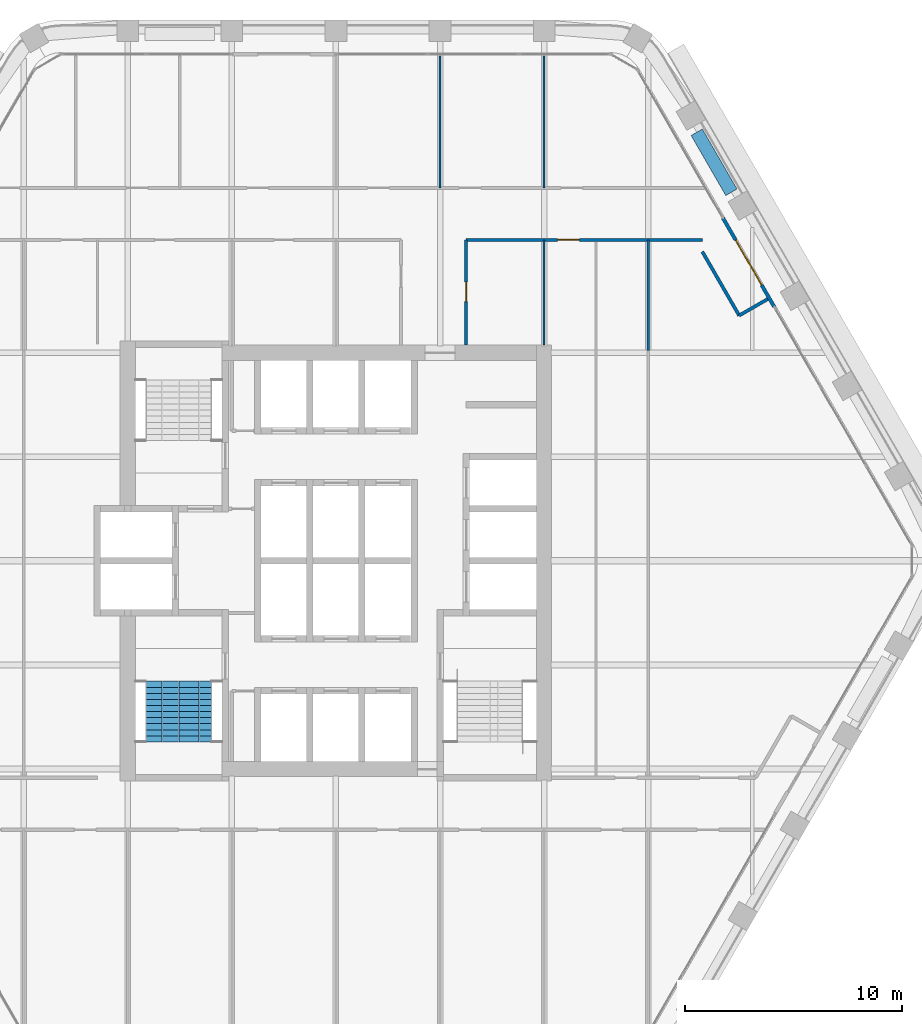
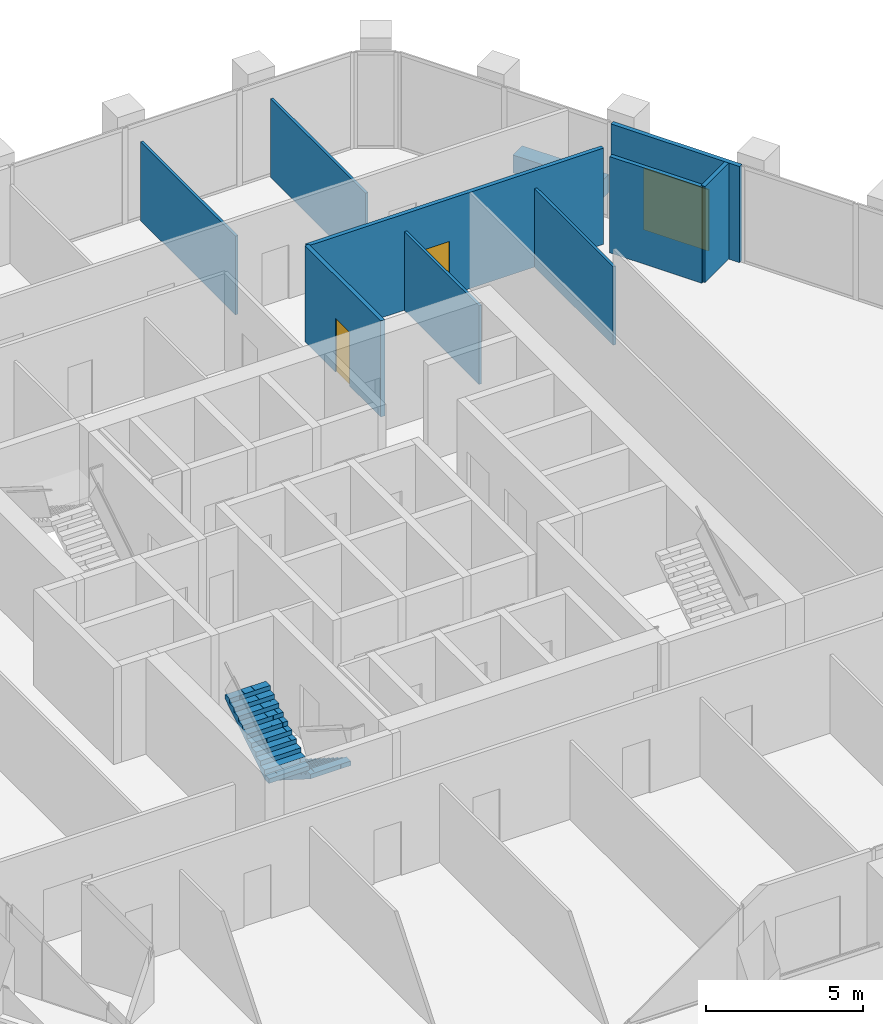
# One storey, part 12 of 15: 10 walls, 3 doors, 2 stair flights, 3 openings, 1 element without a shape of its own.
"""IFC4 building model written with IfcOpenShell, lengths in metres."""

from ifc_helpers import new_model, si_unit, direction, frame, frame_2d, origin, place, context, subcontext, project, spatial, polyline, rectangle, outline, extrude, material, layer, layer_set, type_object, element, fill, aggregate, save


model = new_model("IFC4")

# Units and contexts
model_context = context("Model", 3, precision=1e-05, world=origin(), true_north=direction((0.0, 1.0)))
body_context = subcontext(model_context, "Body", "Model", "MODEL_VIEW")
ifc_project = project(units=[si_unit("LENGTHUNIT", "METRE"), si_unit("AREAUNIT", "SQUARE_METRE"), si_unit("VOLUMEUNIT", "CUBIC_METRE"), si_unit("PLANEANGLEUNIT", "RADIAN"), si_unit("MASSUNIT", "GRAM", prefix="KILO")], contexts=[model_context])

# Site, building, storey
site_placement = place(None, origin())
site = spatial("IfcSite", under=ifc_project, at=site_placement, CompositionType="ELEMENT")
building_placement = place(site_placement, origin())
building = spatial("IfcBuilding", under=site, at=building_placement, Name="Kolab Exchange Tower", CompositionType="ELEMENT")
storey_placement = place(building_placement, frame((0.0, 0.0, 185.60009765625)))
storey = spatial("IfcBuildingStorey", under=building, at=storey_placement, Name="L39", CompositionType="ELEMENT", Elevation=185.60009765625)

# Wall, opening, door
ifc_material_1 = material(Name="Aluminium EN AW-6063 T6", Category="aluminium")
ifc_layer_1 = layer(ifc_material_1, 0.159912109375)
ifc_layer_set_1 = layer_set([ifc_layer_1], Name="Aluminium EN AW-6063 T6")
wall_type_1 = type_object("IfcWallType", Name="DOOR SURROUND WALL 160 ALUMINIUM FRAMED", PredefinedType="PARTITIONING", material=ifc_layer_set_1)
wall_1_placement = place(storey_placement, frame((17.8466796875, 15.811767578125, 0.0), z_axis=(0.0, 0.0, 1.0), x_axis=(0.5000167099, -0.866015756104, 0.0)))
wall_1 = element("IfcWall", 1, at=wall_1_placement, inside=storey, type_object=wall_type_1, Name="Door surround wall", PredefinedType="PARTITIONING", context=body_context, shape_type="SweptSolid", body=[
    extrude(rectangle(XDim=4.739990234375, YDim=0.159912109375, at=frame_2d((2.3701171875, 0.0))), origin(), (0.0, 0.0, 1.0), 3.75),
])
opening_1_placement = place(wall_1_placement, frame((1.169921875, 0.0, 0.0)))
opening_1 = element("IfcOpeningElement", 2, at=opening_1_placement, cuts=wall_1, Name="Opening GD1-065", PredefinedType="OPENING", context=body_context, shape_type="SweptSolid", body=[
    extrude(rectangle(XDim=2.39990234375, YDim=2.39990234375, at=frame_2d((1.199951171875, 1.199951171875))), frame((0.0, 0.08984375, 0.0), z_axis=(0.0, -1.0, 0.0), x_axis=(1.0, 0.0, 0.0)), (0.0, 0.0, 1.0), 0.179931640625),
])
door_type_1 = type_object("IfcDoorType", Name="LOGGIA SLIDING GLASS DOOR 2400 X 2400", OperationType="DOUBLE_DOOR_SINGLE_SWING", PredefinedType="DOOR", material=ifc_material_1)
door_1_placement = place(opening_1_placement, origin())
door_1 = element("IfcDoor", 3, at=door_1_placement, inside=storey, type_object=door_type_1, Name="Loggia door", OperationType="DOUBLE_DOOR_SLIDING", OverallHeight=2.39990234375, OverallWidth=2.39990234375, PredefinedType="DOOR", context=body_context, shape_type="SweptSolid", body=[
    extrude(rectangle(XDim=2.39990234375, YDim=2.39990234375, at=frame_2d((1.199951171875, 1.199951171875))), frame((0.0, 0.02490234375, 0.0), z_axis=(0.0, -1.0, 0.0), x_axis=(1.0, 0.0, 0.0)), (0.0, 0.0, 1.0), 0.050048828125),
])
fill(opening_1, door_1)

# Walls
ifc_material_2 = material(Name="Gypsum board", Category="gypsum")
ifc_layer_2 = layer(ifc_material_2, 0.10009765625)
ifc_layer_set_2 = layer_set([ifc_layer_2], Name="Gypsum board")
wall_type_2 = type_object("IfcWallType", Name="PARTITION 100", PredefinedType="PARTITIONING", material=ifc_layer_set_2)
wall_2_placement = place(storey_placement, frame((14.39990234375, 9.693603515625, 0.0), z_axis=(0.0, 0.0, 1.0), x_axis=(0.0, 1.0, 0.0)))
element("IfcWall", 4, at=wall_2_placement, inside=storey, type_object=wall_type_2, Name="Partition 001", PredefinedType="PARTITIONING", context=body_context, shape_type="SweptSolid", body=[
    extrude(rectangle(XDim=5.1064453125, YDim=0.10009765625, at=frame_2d((2.55322265625, 0.0))), origin(), (0.0, 0.0, 1.0), 3.06591796875),
])
wall_3_placement = place(storey_placement, frame((9.60009765625, 9.949951171875, 0.0), z_axis=(0.0, 0.0, 1.0), x_axis=(0.0, 1.0, 0.0)))
element("IfcWall", 5, at=wall_3_placement, inside=storey, type_object=wall_type_2, Name="Partition 004", PredefinedType="PARTITIONING", context=body_context, shape_type="SweptSolid", body=[
    extrude(rectangle(XDim=4.85009765625, YDim=0.10009765625, at=frame_2d((2.425048828125, 0.0))), origin(), (0.0, 0.0, 1.0), 3.06591796875),
])
for number, where, z_axis, x_axis, name in (
    (6, (9.60009765625, 17.199951171875, 0.0), (0.0, 0.0, 1.0), (0.0, 1.0, 0.0), "Partition 005"),
    (7, (4.800048828125, 17.199951171875, 0.0), (0.0, 0.0, 1.0), (0.0, 1.0, 0.0), "Partition 008"),
):
    element("IfcWall", number, at=place(storey_placement, frame(where, z_axis=z_axis, x_axis=x_axis)), inside=storey, type_object=wall_type_2, Name=name, PredefinedType="PARTITIONING", context=body_context, shape_type="SweptSolid", body=[
        extrude(rectangle(XDim=6.071533203125, YDim=0.10009765625, at=frame_2d((3.03564453125, 0.0))), origin(), (0.0, 0.0, 1.0), 3.06591796875),
    ])

# Wall, opening, door
ifc_layer_3 = layer(ifc_material_2, 0.14990234375)
ifc_layer_set_3 = layer_set([ifc_layer_3], Name="Gypsum board")
wall_type_3 = type_object("IfcWallType", Name="PARTITION 150 FIRE-RATED", PredefinedType="PARTITIONING", material=ifc_layer_set_3)
wall_4_placement = place(storey_placement, frame((6.0, 9.949951171875, 0.0), z_axis=(0.0, 0.0, 1.0), x_axis=(0.0, 1.0, 0.0)))
wall_4 = element("IfcWall", 8, at=wall_4_placement, inside=storey, type_object=wall_type_3, Name="Partition 006", PredefinedType="PARTITIONING", context=body_context, shape_type="SweptSolid", body=[
    extrude(rectangle(XDim=4.85009765625, YDim=0.14990234375, at=frame_2d((2.425048828125, 0.0))), origin(), (0.0, 0.0, 1.0), 3.75),
])
opening_2_placement = place(wall_4_placement, frame((2.0, 0.0, 0.0)))
opening_2 = element("IfcOpeningElement", 9, at=opening_2_placement, cuts=wall_4, Name="Opening D3-054", PredefinedType="OPENING", context=body_context, shape_type="SweptSolid", body=[
    extrude(rectangle(XDim=0.89990234375, YDim=2.10009765625, at=frame_2d((0.449951171875, 1.050048828125))), frame((0.0, 0.0849609375, 0.0), z_axis=(0.0, -1.0, 0.0), x_axis=(1.0, 0.0, 0.0)), (0.0, 0.0, 1.0), 0.169921875),
])
ifc_material_3 = material(Name="Steel S235", Category="steel")
door_type_2 = type_object("IfcDoorType", Name="FLUSH DOOR 900 FD60", OperationType="SINGLE_SWING_LEFT", PredefinedType="DOOR", material=ifc_material_3)
door_2_placement = place(opening_2_placement, frame((0.89990234375, 0.0, 0.0), z_axis=(0.0, 0.0, 1.0), x_axis=(-1.0, 0.0, 0.0)))
door_2 = element("IfcDoor", 10, at=door_2_placement, inside=storey, type_object=door_type_2, Name="Door L39-030", OperationType="SINGLE_SWING_LEFT", OverallHeight=2.10009765625, OverallWidth=0.89990234375, PredefinedType="DOOR", context=body_context, shape_type="SweptSolid", body=[
    extrude(rectangle(XDim=0.89990234375, YDim=2.10009765625, at=frame_2d((0.449951171875, 1.050048828125))), frame((0.0, 0.02490234375, 0.0), z_axis=(0.0, -1.0, 0.0), x_axis=(1.0, 0.0, 0.0)), (0.0, 0.0, 1.0), 0.050048828125),
])
fill(opening_2, door_2)

# Walls
wall_5_placement = place(storey_placement, frame((16.89599609375, 14.25830078125, 0.0), z_axis=(0.0, 0.0, 1.0), x_axis=(0.499977295307, -0.866038511948, 0.0)))
element("IfcWall", 11, at=wall_5_placement, inside=storey, type_object=wall_type_3, Name="Partition 024", PredefinedType="PARTITIONING", context=body_context, shape_type="SweptSolid", body=[
    extrude(rectangle(XDim=3.400146484375, YDim=0.14990234375, at=frame_2d((1.7001953125, 0.0))), origin(), (0.0, 0.0, 1.0), 3.75),
])
wall_6_placement = place(storey_placement, frame((18.595947265625, 11.313720703125, 0.0), z_axis=(0.0, 0.0, 1.0), x_axis=(0.866030456496, 0.499991248344, 0.0)))
element("IfcWall", 12, at=wall_6_placement, inside=storey, type_object=wall_type_3, Name="Partition 028", PredefinedType="PARTITIONING", context=body_context, shape_type="SweptSolid", body=[
    extrude(rectangle(XDim=1.52001953125, YDim=0.14990234375, at=frame_2d((0.760009765625, 0.0))), origin(), (0.0, 0.0, 1.0), 3.75),
])

# Wall, opening, door
wall_7_placement = place(storey_placement, frame((6.0, 14.800048828125, 0.0), z_axis=(0.0, 0.0, 1.0), x_axis=(1.0, 0.0, 0.0)))
wall_7 = element("IfcWall", 13, at=wall_7_placement, inside=storey, type_object=wall_type_3, Name="Partition 035", PredefinedType="PARTITIONING", context=body_context, shape_type="SweptSolid", body=[
    extrude(rectangle(XDim=10.9052734375, YDim=0.14990234375, at=frame_2d((5.45263671875, 0.0))), origin(), (0.0, 0.0, 1.0), 3.75),
])
opening_3_placement = place(wall_7_placement, frame((4.22509765625, 0.0, 0.0)))
opening_3 = element("IfcOpeningElement", 14, at=opening_3_placement, cuts=wall_7, Name="Opening D1-534", PredefinedType="OPENING", context=body_context, shape_type="SweptSolid", body=[
    extrude(rectangle(XDim=1.0, YDim=2.10009765625, at=frame_2d((0.5, 1.050048828125))), frame((0.0, 0.0849609375, 0.0), z_axis=(0.0, -1.0, 0.0), x_axis=(1.0, 0.0, 0.0)), (0.0, 0.0, 1.0), 0.169921875),
])
door_type_3 = type_object("IfcDoorType", Name="FLUSH DOOR 1000 FD60", OperationType="SINGLE_SWING_LEFT", PredefinedType="DOOR", material=ifc_material_3)
door_3_placement = place(opening_3_placement, frame((1.0, 0.0, 0.0), z_axis=(0.0, 0.0, 1.0), x_axis=(-1.0, 0.0, 0.0)))
door_3 = element("IfcDoor", 15, at=door_3_placement, inside=storey, type_object=door_type_3, Name="Door L39-048", OperationType="SINGLE_SWING_LEFT", OverallHeight=2.10009765625, OverallWidth=1.0, PredefinedType="DOOR", context=body_context, shape_type="SweptSolid", body=[
    extrude(rectangle(XDim=1.0, YDim=2.10009765625, at=frame_2d((0.5, 1.050048828125))), frame((0.0, 0.02490234375, 0.0), z_axis=(0.0, -1.0, 0.0), x_axis=(1.0, 0.0, 0.0)), (0.0, 0.0, 1.0), 0.050048828125),
])
fill(opening_3, door_3)

# Wall
ifc_material_4 = material(Name="Granite facing", Category="masonry")
ifc_layer_4 = layer(ifc_material_4, 0.0400390625)
ifc_material_5 = material(Name="Concrete C40/50 precast", Category="concrete")
ifc_layer_5 = layer(ifc_material_5, 0.56005859375)
ifc_layer_set_4 = layer_set([ifc_layer_4, ifc_layer_5], Name="Concrete C40/50 precast")
wall_type_4 = type_object("IfcWallType", Name="PLANTER BOX 600 X 700 SOIL DEPTH 550", PredefinedType="USERDEFINED", material=ifc_layer_set_4)
wall_8_placement = place(storey_placement, frame((16.636962890625, 19.766845703125, 0.0), z_axis=(0.0, 0.0, 1.0), x_axis=(0.500028443584, -0.866008981251, 0.0)))
element("IfcWall", 16, at=wall_8_placement, inside=storey, type_object=wall_type_4, Name="Planter", ObjectType="PLANTER", PredefinedType="USERDEFINED", context=body_context, shape_type="SweptSolid", body=[
    extrude(rectangle(XDim=3.199951171875, YDim=0.60009765625, at=frame_2d((1.60009765625, 0.0))), origin(), (0.0, 0.0, 1.0), 0.699951171875),
])

# Stair, stair flights
ifc_material_6 = material(Name="Concrete C50/60", Category="concrete")
stair_type = type_object("IfcStairType", Name="STAIR ST3 RISER 177.3", PredefinedType="HALF_TURN_STAIR", material=ifc_material_6)
stair_placement = place(storey_placement, origin())
stair = element("IfcStair", 17, at=stair_placement, inside=storey, type_object=stair_type, Name="Stair 3", PredefinedType="HALF_TURN_STAIR")
stair_flight_type = type_object("IfcStairFlightType", Name="STAIR FLIGHT 1500 RISER 177.3", PredefinedType="STRAIGHT", material=ifc_material_6)
stair_flight_1_placement = place(storey_placement, frame((-6.489990234375, -5.550048828125, 0.0), z_axis=(0.0, 0.0, 1.0), x_axis=(0.0, -1.0, 0.0)))
stair_flight_1 = element("IfcStairFlight", 18, at=stair_flight_1_placement, type_object=stair_flight_type, Name="ST3 flight 1", NumberOfRisers=11, NumberOfTreads=10, PredefinedType="STRAIGHT", RiserHeight=0.177272727, TreadLength=0.28, context=body_context, shape_type="SweptSolid", body=[
    extrude(outline(polyline([(0.0, 0.0), (0.0, 0.17724609375), (0.280029296875, 0.17724609375), (0.280029296875, 0.3544921875), (0.56005859375, 0.3544921875), (0.56005859375, 0.53173828125), (0.840087890625, 0.53173828125), (0.840087890625, 0.708984375), (1.1201171875, 0.708984375), (1.1201171875, 0.886474609375), (1.39990234375, 0.886474609375), (1.39990234375, 1.063720703125), (1.679931640625, 1.063720703125), (1.679931640625, 1.240966796875), (1.9599609375, 1.240966796875), (1.9599609375, 1.418212890625), (2.239990234375, 1.418212890625), (2.239990234375, 1.595458984375), (2.52001953125, 1.595458984375), (2.52001953125, 1.772705078125), (2.800048828125, 1.772705078125), (2.800048828125, 1.949951171875), (2.800048828125, 1.59521484375), (0.2802734375, 0.0), (0.0, 0.0)])), frame((0.0, 0.75, 0.0), z_axis=(0.0, -1.0, 0.0), x_axis=(1.0, 0.0, 0.0)), (0.0, 0.0, 1.0), 0.185791015625),
    extrude(outline(polyline([(0.0, 0.0), (0.0, 0.17724609375), (0.280029296875, 0.17724609375), (0.280029296875, 0.3544921875), (0.56005859375, 0.3544921875), (0.56005859375, 0.53173828125), (0.840087890625, 0.53173828125), (0.840087890625, 0.708984375), (1.1201171875, 0.708984375), (1.1201171875, 0.886474609375), (1.39990234375, 0.886474609375), (1.39990234375, 1.063720703125), (1.679931640625, 1.063720703125), (1.679931640625, 1.240966796875), (1.9599609375, 1.240966796875), (1.9599609375, 1.418212890625), (2.239990234375, 1.418212890625), (2.239990234375, 1.595458984375), (2.52001953125, 1.595458984375), (2.52001953125, 1.772705078125), (2.800048828125, 1.772705078125), (2.800048828125, 1.949951171875), (2.800048828125, 1.59521484375), (0.2802734375, 0.0), (0.0, 0.0)])), frame((0.0, 0.562255859375, 0.0), z_axis=(0.0, -1.0, 0.0), x_axis=(1.0, 0.0, 0.0)), (0.0, 0.0, 1.0), 0.185791015625),
    extrude(outline(polyline([(0.0, 0.0), (0.0, 0.17724609375), (0.280029296875, 0.17724609375), (0.280029296875, 0.3544921875), (0.56005859375, 0.3544921875), (0.56005859375, 0.53173828125), (0.840087890625, 0.53173828125), (0.840087890625, 0.708984375), (1.1201171875, 0.708984375), (1.1201171875, 0.886474609375), (1.39990234375, 0.886474609375), (1.39990234375, 1.063720703125), (1.679931640625, 1.063720703125), (1.679931640625, 1.240966796875), (1.9599609375, 1.240966796875), (1.9599609375, 1.418212890625), (2.239990234375, 1.418212890625), (2.239990234375, 1.595458984375), (2.52001953125, 1.595458984375), (2.52001953125, 1.772705078125), (2.800048828125, 1.772705078125), (2.800048828125, 1.949951171875), (2.800048828125, 1.59521484375), (0.2802734375, 0.0), (0.0, 0.0)])), frame((0.0, 0.37451171875, 0.0), z_axis=(0.0, -1.0, 0.0), x_axis=(1.0, 0.0, 0.0)), (0.0, 0.0, 1.0), 0.185791015625),
    extrude(outline(polyline([(0.0, 0.0), (0.0, 0.17724609375), (0.280029296875, 0.17724609375), (0.280029296875, 0.3544921875), (0.56005859375, 0.3544921875), (0.56005859375, 0.53173828125), (0.840087890625, 0.53173828125), (0.840087890625, 0.708984375), (1.1201171875, 0.708984375), (1.1201171875, 0.886474609375), (1.39990234375, 0.886474609375), (1.39990234375, 1.063720703125), (1.679931640625, 1.063720703125), (1.679931640625, 1.240966796875), (1.9599609375, 1.240966796875), (1.9599609375, 1.418212890625), (2.239990234375, 1.418212890625), (2.239990234375, 1.595458984375), (2.52001953125, 1.595458984375), (2.52001953125, 1.772705078125), (2.800048828125, 1.772705078125), (2.800048828125, 1.949951171875), (2.800048828125, 1.59521484375), (0.2802734375, 0.0), (0.0, 0.0)])), frame((0.0, 0.186767578125, 0.0), z_axis=(0.0, -1.0, 0.0), x_axis=(1.0, 0.0, 0.0)), (0.0, 0.0, 1.0), 0.185791015625),
    extrude(outline(polyline([(0.0, 0.0), (0.0, 0.17724609375), (0.280029296875, 0.17724609375), (0.280029296875, 0.3544921875), (0.56005859375, 0.3544921875), (0.56005859375, 0.53173828125), (0.840087890625, 0.53173828125), (0.840087890625, 0.708984375), (1.1201171875, 0.708984375), (1.1201171875, 0.886474609375), (1.39990234375, 0.886474609375), (1.39990234375, 1.063720703125), (1.679931640625, 1.063720703125), (1.679931640625, 1.240966796875), (1.9599609375, 1.240966796875), (1.9599609375, 1.418212890625), (2.239990234375, 1.418212890625), (2.239990234375, 1.595458984375), (2.52001953125, 1.595458984375), (2.52001953125, 1.772705078125), (2.800048828125, 1.772705078125), (2.800048828125, 1.949951171875), (2.800048828125, 1.59521484375), (0.2802734375, 0.0), (0.0, 0.0)])), frame((0.0, -0.0009765625, 0.0), z_axis=(0.0, -1.0, 0.0), x_axis=(1.0, 0.0, 0.0)), (0.0, 0.0, 1.0), 0.185791015625),
    extrude(outline(polyline([(0.0, 0.0), (0.0, 0.17724609375), (0.280029296875, 0.17724609375), (0.280029296875, 0.3544921875), (0.56005859375, 0.3544921875), (0.56005859375, 0.53173828125), (0.840087890625, 0.53173828125), (0.840087890625, 0.708984375), (1.1201171875, 0.708984375), (1.1201171875, 0.886474609375), (1.39990234375, 0.886474609375), (1.39990234375, 1.063720703125), (1.679931640625, 1.063720703125), (1.679931640625, 1.240966796875), (1.9599609375, 1.240966796875), (1.9599609375, 1.418212890625), (2.239990234375, 1.418212890625), (2.239990234375, 1.595458984375), (2.52001953125, 1.595458984375), (2.52001953125, 1.772705078125), (2.800048828125, 1.772705078125), (2.800048828125, 1.949951171875), (2.800048828125, 1.59521484375), (0.2802734375, 0.0), (0.0, 0.0)])), frame((0.0, -0.188720703125, 0.0), z_axis=(0.0, -1.0, 0.0), x_axis=(1.0, 0.0, 0.0)), (0.0, 0.0, 1.0), 0.185791015625),
    extrude(outline(polyline([(0.0, 0.0), (0.0, 0.17724609375), (0.280029296875, 0.17724609375), (0.280029296875, 0.3544921875), (0.56005859375, 0.3544921875), (0.56005859375, 0.53173828125), (0.840087890625, 0.53173828125), (0.840087890625, 0.708984375), (1.1201171875, 0.708984375), (1.1201171875, 0.886474609375), (1.39990234375, 0.886474609375), (1.39990234375, 1.063720703125), (1.679931640625, 1.063720703125), (1.679931640625, 1.240966796875), (1.9599609375, 1.240966796875), (1.9599609375, 1.418212890625), (2.239990234375, 1.418212890625), (2.239990234375, 1.595458984375), (2.52001953125, 1.595458984375), (2.52001953125, 1.772705078125), (2.800048828125, 1.772705078125), (2.800048828125, 1.949951171875), (2.800048828125, 1.59521484375), (0.2802734375, 0.0), (0.0, 0.0)])), frame((0.0, -0.37646484375, 0.0), z_axis=(0.0, -1.0, 0.0), x_axis=(1.0, 0.0, 0.0)), (0.0, 0.0, 1.0), 0.185791015625),
    extrude(outline(polyline([(0.0, 0.0), (0.0, 0.17724609375), (0.280029296875, 0.17724609375), (0.280029296875, 0.3544921875), (0.56005859375, 0.3544921875), (0.56005859375, 0.53173828125), (0.840087890625, 0.53173828125), (0.840087890625, 0.708984375), (1.1201171875, 0.708984375), (1.1201171875, 0.886474609375), (1.39990234375, 0.886474609375), (1.39990234375, 1.063720703125), (1.679931640625, 1.063720703125), (1.679931640625, 1.240966796875), (1.9599609375, 1.240966796875), (1.9599609375, 1.418212890625), (2.239990234375, 1.418212890625), (2.239990234375, 1.595458984375), (2.52001953125, 1.595458984375), (2.52001953125, 1.772705078125), (2.800048828125, 1.772705078125), (2.800048828125, 1.949951171875), (2.800048828125, 1.59521484375), (0.2802734375, 0.0), (0.0, 0.0)])), frame((0.0, -0.564208984375, 0.0), z_axis=(0.0, -1.0, 0.0), x_axis=(1.0, 0.0, 0.0)), (0.0, 0.0, 1.0), 0.185791015625),
])
stair_flight_2_placement = place(storey_placement, frame((-8.010009765625, -8.35009765625, 1.949951171875), z_axis=(0.0, 0.0, 1.0), x_axis=(0.0, 1.0, 0.0)))
stair_flight_2 = element("IfcStairFlight", 19, at=stair_flight_2_placement, type_object=stair_flight_type, Name="ST3 flight 2", NumberOfRisers=11, NumberOfTreads=10, PredefinedType="STRAIGHT", RiserHeight=0.177272727, TreadLength=0.28, context=body_context, shape_type="SweptSolid", body=[
    extrude(outline(polyline([(0.0, 0.0), (0.0, 0.17724609375), (0.280029296875, 0.17724609375), (0.280029296875, 0.3544921875), (0.56005859375, 0.3544921875), (0.56005859375, 0.53173828125), (0.840087890625, 0.53173828125), (0.840087890625, 0.708984375), (1.1201171875, 0.708984375), (1.1201171875, 0.886474609375), (1.39990234375, 0.886474609375), (1.39990234375, 1.063720703125), (1.679931640625, 1.063720703125), (1.679931640625, 1.240966796875), (1.9599609375, 1.240966796875), (1.9599609375, 1.418212890625), (2.239990234375, 1.418212890625), (2.239990234375, 1.595458984375), (2.52001953125, 1.595458984375), (2.52001953125, 1.772705078125), (2.800048828125, 1.772705078125), (2.800048828125, 1.949951171875), (2.800048828125, 1.59521484375), (0.2802734375, 0.0), (0.0, 0.0)])), frame((0.0, 0.75, 0.0), z_axis=(0.0, -1.0, 0.0), x_axis=(1.0, 0.0, 0.0)), (0.0, 0.0, 1.0), 0.185791015625),
    extrude(outline(polyline([(0.0, 0.0), (0.0, 0.17724609375), (0.280029296875, 0.17724609375), (0.280029296875, 0.3544921875), (0.56005859375, 0.3544921875), (0.56005859375, 0.53173828125), (0.840087890625, 0.53173828125), (0.840087890625, 0.708984375), (1.1201171875, 0.708984375), (1.1201171875, 0.886474609375), (1.39990234375, 0.886474609375), (1.39990234375, 1.063720703125), (1.679931640625, 1.063720703125), (1.679931640625, 1.240966796875), (1.9599609375, 1.240966796875), (1.9599609375, 1.418212890625), (2.239990234375, 1.418212890625), (2.239990234375, 1.595458984375), (2.52001953125, 1.595458984375), (2.52001953125, 1.772705078125), (2.800048828125, 1.772705078125), (2.800048828125, 1.949951171875), (2.800048828125, 1.59521484375), (0.2802734375, 0.0), (0.0, 0.0)])), frame((0.0, 0.562255859375, 0.0), z_axis=(0.0, -1.0, 0.0), x_axis=(1.0, 0.0, 0.0)), (0.0, 0.0, 1.0), 0.185791015625),
    extrude(outline(polyline([(0.0, 0.0), (0.0, 0.17724609375), (0.280029296875, 0.17724609375), (0.280029296875, 0.3544921875), (0.56005859375, 0.3544921875), (0.56005859375, 0.53173828125), (0.840087890625, 0.53173828125), (0.840087890625, 0.708984375), (1.1201171875, 0.708984375), (1.1201171875, 0.886474609375), (1.39990234375, 0.886474609375), (1.39990234375, 1.063720703125), (1.679931640625, 1.063720703125), (1.679931640625, 1.240966796875), (1.9599609375, 1.240966796875), (1.9599609375, 1.418212890625), (2.239990234375, 1.418212890625), (2.239990234375, 1.595458984375), (2.52001953125, 1.595458984375), (2.52001953125, 1.772705078125), (2.800048828125, 1.772705078125), (2.800048828125, 1.949951171875), (2.800048828125, 1.59521484375), (0.2802734375, 0.0), (0.0, 0.0)])), frame((0.0, 0.37451171875, 0.0), z_axis=(0.0, -1.0, 0.0), x_axis=(1.0, 0.0, 0.0)), (0.0, 0.0, 1.0), 0.185791015625),
    extrude(outline(polyline([(0.0, 0.0), (0.0, 0.17724609375), (0.280029296875, 0.17724609375), (0.280029296875, 0.3544921875), (0.56005859375, 0.3544921875), (0.56005859375, 0.53173828125), (0.840087890625, 0.53173828125), (0.840087890625, 0.708984375), (1.1201171875, 0.708984375), (1.1201171875, 0.886474609375), (1.39990234375, 0.886474609375), (1.39990234375, 1.063720703125), (1.679931640625, 1.063720703125), (1.679931640625, 1.240966796875), (1.9599609375, 1.240966796875), (1.9599609375, 1.418212890625), (2.239990234375, 1.418212890625), (2.239990234375, 1.595458984375), (2.52001953125, 1.595458984375), (2.52001953125, 1.772705078125), (2.800048828125, 1.772705078125), (2.800048828125, 1.949951171875), (2.800048828125, 1.59521484375), (0.2802734375, 0.0), (0.0, 0.0)])), frame((0.0, 0.186767578125, 0.0), z_axis=(0.0, -1.0, 0.0), x_axis=(1.0, 0.0, 0.0)), (0.0, 0.0, 1.0), 0.185791015625),
    extrude(outline(polyline([(0.0, 0.0), (0.0, 0.17724609375), (0.280029296875, 0.17724609375), (0.280029296875, 0.3544921875), (0.56005859375, 0.3544921875), (0.56005859375, 0.53173828125), (0.840087890625, 0.53173828125), (0.840087890625, 0.708984375), (1.1201171875, 0.708984375), (1.1201171875, 0.886474609375), (1.39990234375, 0.886474609375), (1.39990234375, 1.063720703125), (1.679931640625, 1.063720703125), (1.679931640625, 1.240966796875), (1.9599609375, 1.240966796875), (1.9599609375, 1.418212890625), (2.239990234375, 1.418212890625), (2.239990234375, 1.595458984375), (2.52001953125, 1.595458984375), (2.52001953125, 1.772705078125), (2.800048828125, 1.772705078125), (2.800048828125, 1.949951171875), (2.800048828125, 1.59521484375), (0.2802734375, 0.0), (0.0, 0.0)])), frame((0.0, -0.0009765625, 0.0), z_axis=(0.0, -1.0, 0.0), x_axis=(1.0, 0.0, 0.0)), (0.0, 0.0, 1.0), 0.185791015625),
    extrude(outline(polyline([(0.0, 0.0), (0.0, 0.17724609375), (0.280029296875, 0.17724609375), (0.280029296875, 0.3544921875), (0.56005859375, 0.3544921875), (0.56005859375, 0.53173828125), (0.840087890625, 0.53173828125), (0.840087890625, 0.708984375), (1.1201171875, 0.708984375), (1.1201171875, 0.886474609375), (1.39990234375, 0.886474609375), (1.39990234375, 1.063720703125), (1.679931640625, 1.063720703125), (1.679931640625, 1.240966796875), (1.9599609375, 1.240966796875), (1.9599609375, 1.418212890625), (2.239990234375, 1.418212890625), (2.239990234375, 1.595458984375), (2.52001953125, 1.595458984375), (2.52001953125, 1.772705078125), (2.800048828125, 1.772705078125), (2.800048828125, 1.949951171875), (2.800048828125, 1.59521484375), (0.2802734375, 0.0), (0.0, 0.0)])), frame((0.0, -0.188720703125, 0.0), z_axis=(0.0, -1.0, 0.0), x_axis=(1.0, 0.0, 0.0)), (0.0, 0.0, 1.0), 0.185791015625),
    extrude(outline(polyline([(0.0, 0.0), (0.0, 0.17724609375), (0.280029296875, 0.17724609375), (0.280029296875, 0.3544921875), (0.56005859375, 0.3544921875), (0.56005859375, 0.53173828125), (0.840087890625, 0.53173828125), (0.840087890625, 0.708984375), (1.1201171875, 0.708984375), (1.1201171875, 0.886474609375), (1.39990234375, 0.886474609375), (1.39990234375, 1.063720703125), (1.679931640625, 1.063720703125), (1.679931640625, 1.240966796875), (1.9599609375, 1.240966796875), (1.9599609375, 1.418212890625), (2.239990234375, 1.418212890625), (2.239990234375, 1.595458984375), (2.52001953125, 1.595458984375), (2.52001953125, 1.772705078125), (2.800048828125, 1.772705078125), (2.800048828125, 1.949951171875), (2.800048828125, 1.59521484375), (0.2802734375, 0.0), (0.0, 0.0)])), frame((0.0, -0.37646484375, 0.0), z_axis=(0.0, -1.0, 0.0), x_axis=(1.0, 0.0, 0.0)), (0.0, 0.0, 1.0), 0.185791015625),
    extrude(outline(polyline([(0.0, 0.0), (0.0, 0.17724609375), (0.280029296875, 0.17724609375), (0.280029296875, 0.3544921875), (0.56005859375, 0.3544921875), (0.56005859375, 0.53173828125), (0.840087890625, 0.53173828125), (0.840087890625, 0.708984375), (1.1201171875, 0.708984375), (1.1201171875, 0.886474609375), (1.39990234375, 0.886474609375), (1.39990234375, 1.063720703125), (1.679931640625, 1.063720703125), (1.679931640625, 1.240966796875), (1.9599609375, 1.240966796875), (1.9599609375, 1.418212890625), (2.239990234375, 1.418212890625), (2.239990234375, 1.595458984375), (2.52001953125, 1.595458984375), (2.52001953125, 1.772705078125), (2.800048828125, 1.772705078125), (2.800048828125, 1.949951171875), (2.800048828125, 1.59521484375), (0.2802734375, 0.0), (0.0, 0.0)])), frame((0.0, -0.564208984375, 0.0), z_axis=(0.0, -1.0, 0.0), x_axis=(1.0, 0.0, 0.0)), (0.0, 0.0, 1.0), 0.185791015625),
])
aggregate(stair, [stair_flight_1, stair_flight_2])

save(model, "model.ifc")
